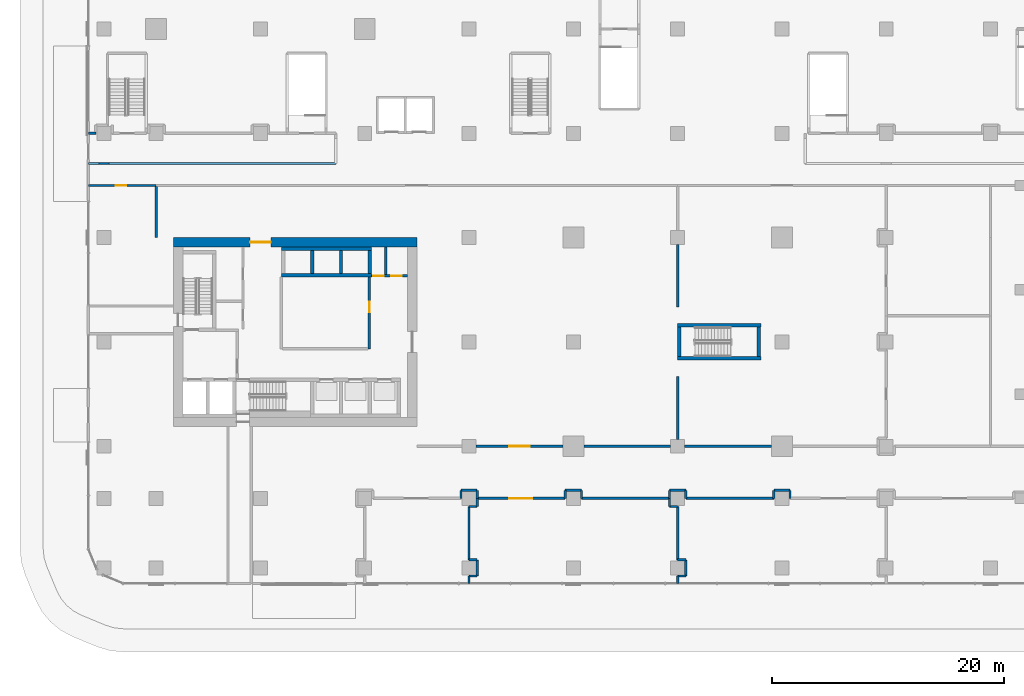
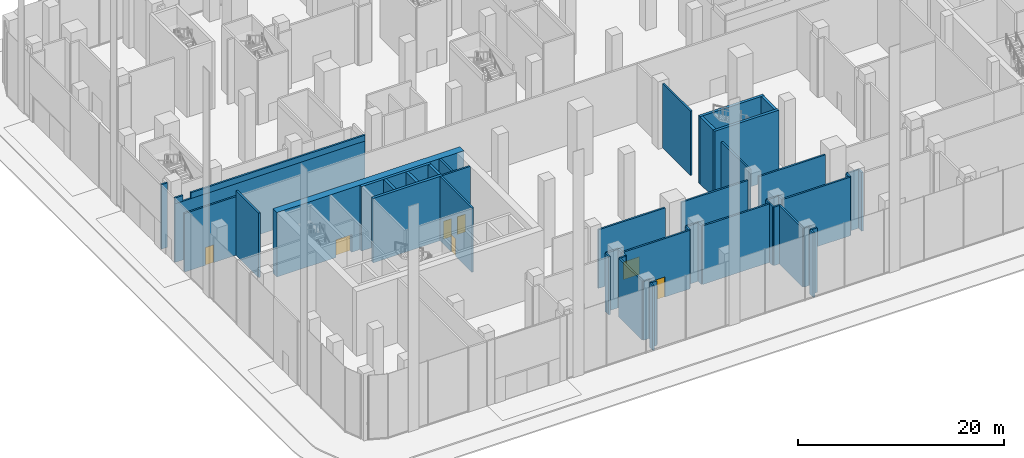
# One storey, part 18 of 42: 53 walls, 7 doors, 7 openings.
"""IFC4 building model written with IfcOpenShell, lengths in metres."""

from ifc_helpers import new_model, si_unit, direction, frame, frame_2d, origin, place, context, subcontext, project, spatial, rectangle, extrude, material, layer, layer_set, type_object, element, fill, save


model = new_model("IFC4")

# Units and contexts
model_context = context("Model", 3, precision=1e-05, world=origin(), true_north=direction((0.0, 1.0)))
body_context = subcontext(model_context, "Body", "Model", "MODEL_VIEW")
ifc_project = project(units=[si_unit("LENGTHUNIT", "METRE"), si_unit("AREAUNIT", "SQUARE_METRE"), si_unit("VOLUMEUNIT", "CUBIC_METRE"), si_unit("PLANEANGLEUNIT", "RADIAN"), si_unit("MASSUNIT", "GRAM", prefix="KILO")], contexts=[model_context])

# Site, building, storey
site_placement = place(None, origin())
site = spatial("IfcSite", under=ifc_project, at=site_placement, CompositionType="ELEMENT")
building_placement = place(site_placement, origin())
building = spatial("IfcBuilding", under=site, at=building_placement, Name="Plateau Cross Towers", CompositionType="ELEMENT")
storey_placement = place(building_placement, origin())
storey = spatial("IfcBuildingStorey", under=building, at=storey_placement, Name="L00", CompositionType="ELEMENT", Elevation=0.0)

# Wall, opening, door
ifc_material_1 = material(Name="Concrete block, plastered both sides", Category="concrete")
ifc_layer_1 = layer(ifc_material_1, 0.199951171875)
ifc_layer_set_1 = layer_set([ifc_layer_1], Name="Concrete block, plastered both sides")
wall_type_1 = type_object("IfcWallType", Name="Core partition 200", PredefinedType="PARTITIONING", material=ifc_layer_set_1)
wall_1_placement = place(storey_placement, frame((18.39990234375, 8.39990234375, 0.0), z_axis=(0.0, 0.0, 1.0), x_axis=(0.0, 1.0, 0.0)))
wall_1 = element("IfcWall", 1, at=wall_1_placement, inside=storey, type_object=wall_type_1, Name="Core partition", PredefinedType="PARTITIONING", context=body_context, shape_type="SweptSolid", body=[
    extrude(rectangle(XDim=6.2001953125, YDim=0.199951171875, at=frame_2d((3.10009765625, 0.0))), origin(), (0.0, 0.0, 1.0), 7.64990234375),
])
opening_1_placement = place(wall_1_placement, frame((3.14990234375, 0.0, 0.0)))
opening_1 = element("IfcOpeningElement", 2, at=opening_1_placement, cuts=wall_1, Name="Opening RD1", PredefinedType="OPENING", context=body_context, shape_type="SweptSolid", body=[
    extrude(rectangle(XDim=0.89990234375, YDim=2.10009765625, at=frame_2d((0.449951171875, 1.050048828125))), frame((0.0, 0.10986328125, 0.0), z_axis=(0.0, -1.0, 0.0), x_axis=(1.0, 0.0, 0.0)), (0.0, 0.0, 1.0), 0.219970703125),
])
ifc_material_2 = material(Name="Timber, fire-resisting leaf", Category="wood")
door_type_1 = type_object("IfcDoorType", Name="Core service door 900", OperationType="NOTDEFINED", PredefinedType="DOOR", material=ifc_material_2)
door_1_placement = place(opening_1_placement, origin())
door_1 = element("IfcDoor", 3, at=door_1_placement, inside=storey, type_object=door_type_1, Name="Core service door RD1", OperationType="SINGLE_SWING_LEFT", OverallHeight=2.10009765625, OverallWidth=0.89990234375, PredefinedType="DOOR", context=body_context, shape_type="SweptSolid", body=[
    extrude(rectangle(XDim=0.89990234375, YDim=2.10009765625, at=frame_2d((0.449951171875, 1.050048828125))), frame((0.0, 0.02490234375, 0.0), z_axis=(0.0, -1.0, 0.0), x_axis=(1.0, 0.0, 0.0)), (0.0, 0.0, 1.0), 0.050048828125),
])
fill(opening_1, door_1)

# Wall, openings, doors
wall_2_placement = place(storey_placement, frame((18.60009765625, 14.699951171875, 0.0), z_axis=(0.0, 0.0, 1.0), x_axis=(1.0, 0.0, 0.0)))
wall_2 = element("IfcWall", 4, at=wall_2_placement, inside=storey, type_object=wall_type_1, Name="Core partition", PredefinedType="PARTITIONING", context=body_context, shape_type="SweptSolid", body=[
    extrude(rectangle(XDim=3.099853515625, YDim=0.199951171875, at=frame_2d((1.5498046875, 0.0))), origin(), (0.0, 0.0, 1.0), 7.64990234375),
])
opening_2_placement = place(wall_2_placement, frame((0.14990234375, 0.0, 0.0)))
opening_2 = element("IfcOpeningElement", 5, at=opening_2_placement, cuts=wall_2, Name="Opening RD2", PredefinedType="OPENING", context=body_context, shape_type="SweptSolid", body=[
    extrude(rectangle(XDim=0.89990234375, YDim=2.10009765625, at=frame_2d((0.449951171875, 1.050048828125))), frame((0.0, 0.10986328125, 0.0), z_axis=(0.0, -1.0, 0.0), x_axis=(1.0, 0.0, 0.0)), (0.0, 0.0, 1.0), 0.219970703125),
])
opening_3_placement = place(wall_2_placement, frame((1.699951171875, 0.0, 0.0)))
opening_3 = element("IfcOpeningElement", 6, at=opening_3_placement, cuts=wall_2, Name="Opening RD2", PredefinedType="OPENING", context=body_context, shape_type="SweptSolid", body=[
    extrude(rectangle(XDim=0.89990234375, YDim=2.10009765625, at=frame_2d((0.449951171875, 1.050048828125))), frame((0.0, 0.10986328125, 0.0), z_axis=(0.0, -1.0, 0.0), x_axis=(1.0, 0.0, 0.0)), (0.0, 0.0, 1.0), 0.219970703125),
])
ifc_material_3 = material(Name="Steel, fire-resisting leaf", Category="steel")
door_type_2 = type_object("IfcDoorType", Name="Core riser door 900", OperationType="NOTDEFINED", PredefinedType="DOOR", material=ifc_material_3)
door_2_placement = place(opening_2_placement, origin())
door_2 = element("IfcDoor", 7, at=door_2_placement, inside=storey, type_object=door_type_2, Name="Core riser door RD2", OperationType="SINGLE_SWING_LEFT", OverallHeight=2.10009765625, OverallWidth=0.89990234375, PredefinedType="DOOR", context=body_context, shape_type="SweptSolid", body=[
    extrude(rectangle(XDim=0.89990234375, YDim=2.10009765625, at=frame_2d((0.449951171875, 1.050048828125))), frame((0.0, 0.02490234375, 0.0), z_axis=(0.0, -1.0, 0.0), x_axis=(1.0, 0.0, 0.0)), (0.0, 0.0, 1.0), 0.050048828125),
])
fill(opening_2, door_2)
door_3_placement = place(opening_3_placement, origin())
door_3 = element("IfcDoor", 8, at=door_3_placement, inside=storey, type_object=door_type_2, Name="Core riser door RD2", OperationType="SINGLE_SWING_LEFT", OverallHeight=2.10009765625, OverallWidth=0.89990234375, PredefinedType="DOOR", context=body_context, shape_type="SweptSolid", body=[
    extrude(rectangle(XDim=0.89990234375, YDim=2.10009765625, at=frame_2d((0.449951171875, 1.050048828125))), frame((0.0, 0.02490234375, 0.0), z_axis=(0.0, -1.0, 0.0), x_axis=(1.0, 0.0, 0.0)), (0.0, 0.0, 1.0), 0.050048828125),
])
fill(opening_3, door_3)

# Walls
wall_3_placement = place(storey_placement, frame((19.800048828125, 14.800048828125, 0.0), z_axis=(0.0, 0.0, 1.0), x_axis=(0.0, 1.0, 0.0)))
element("IfcWall", 9, at=wall_3_placement, inside=storey, type_object=wall_type_1, Name="Core partition", PredefinedType="PARTITIONING", context=body_context, shape_type="SweptSolid", body=[
    extrude(rectangle(XDim=2.39990234375, YDim=0.199951171875, at=frame_2d((1.199951171875, 0.0))), origin(), (0.0, 0.0, 1.0), 7.64990234375),
])
ifc_material_4 = material(Name="Concrete C60/75", Category="concrete")
ifc_layer_2 = layer(ifc_material_4, 0.300048828125)
ifc_layer_set_2 = layer_set([ifc_layer_2], Name="Concrete C60/75")
wall_type_2 = type_object("IfcWallType", Name="Core shaft wall 300", PredefinedType="SHEAR", material=ifc_layer_set_2)
for number, where, z_axis, x_axis, name in (
    (10, (10.800048828125, 17.050048828125, 0.0), (0.0, 0.0, 1.0), (1.0, 0.0, 0.0), "A-nb-back@L00"),
    (11, (10.800048828125, 14.75, 0.0), (0.0, 0.0, 1.0), (1.0, 0.0, 0.0), "A-nb-front@L00"),
):
    element("IfcWall", number, at=place(storey_placement, frame(where, z_axis=z_axis, x_axis=x_axis)), inside=storey, type_object=wall_type_2, Name=name, PredefinedType="SHEAR", context=body_context, shape_type="SweptSolid", body=[
        extrude(rectangle(XDim=7.800048828125, YDim=0.300048828125, at=frame_2d((3.89990234375, 0.0))), origin(), (0.0, 0.0, 1.0), 7.64990234375),
    ])
for number, where, z_axis, x_axis, name in (
    (12, (13.449951171875, 14.89990234375, 0.0), (0.0, 0.0, 1.0), (0.0, 1.0, 0.0), "A-nb-v2@L00"),
    (13, (15.949951171875, 14.89990234375, 0.0), (0.0, 0.0, 1.0), (0.0, 1.0, 0.0), "A-nb-v3@L00"),
    (14, (18.449951171875, 14.89990234375, 0.0), (0.0, 0.0, 1.0), (0.0, 1.0, 0.0), "A-nb-v4@L00"),
):
    element("IfcWall", number, at=place(storey_placement, frame(where, z_axis=z_axis, x_axis=x_axis)), inside=storey, type_object=wall_type_2, Name=name, PredefinedType="SHEAR", context=body_context, shape_type="SweptSolid", body=[
        extrude(rectangle(XDim=2.0, YDim=0.300048828125, at=frame_2d((1.0, 0.0))), origin(), (0.0, 0.0, 1.0), 7.64990234375),
    ])

# Wall, opening, door
ifc_layer_3 = layer(ifc_material_4, 0.800048828125)
ifc_layer_set_3 = layer_set([ifc_layer_3], Name="Concrete C60/75")
wall_type_3 = type_object("IfcWallType", Name="Core shell wall 800", PredefinedType="SHEAR", material=ifc_layer_set_3)
wall_4_placement = place(storey_placement, frame((1.5, 17.60009765625, 0.0), z_axis=(0.0, 0.0, 1.0), x_axis=(1.0, 0.0, 0.0)))
wall_4 = element("IfcWall", 15, at=wall_4_placement, inside=storey, type_object=wall_type_3, Name="A-core-N@L00", PredefinedType="SHEAR", context=body_context, shape_type="SweptSolid", body=[
    extrude(rectangle(XDim=21.0, YDim=0.800048828125, at=frame_2d((10.5, 0.0))), origin(), (0.0, 0.0, 1.0), 7.64990234375),
])
opening_4_placement = place(wall_4_placement, frame((6.60009765625, 0.0, 0.0)))
opening_4 = element("IfcOpeningElement", 16, at=opening_4_placement, cuts=wall_4, Name="Opening CD", PredefinedType="OPENING", context=body_context, shape_type="SweptSolid", body=[
    extrude(rectangle(XDim=1.800048828125, YDim=2.10009765625, at=frame_2d((0.89990234375, 1.050048828125))), frame((0.0, 0.409912109375, 0.0), z_axis=(0.0, -1.0, 0.0), x_axis=(1.0, 0.0, 0.0)), (0.0, 0.0, 1.0), 0.820068359375),
])
ifc_material_5 = material(Name="Steel, fire-resisting leaves", Category="steel")
door_type_3 = type_object("IfcDoorType", Name="Corridor door pair 1800", OperationType="NOTDEFINED", PredefinedType="DOOR", material=ifc_material_5)
door_4_placement = place(opening_4_placement, origin())
door_4 = element("IfcDoor", 17, at=door_4_placement, inside=storey, type_object=door_type_3, Name="Corridor door pair CD", OperationType="DOUBLE_DOOR_SINGLE_SWING", OverallHeight=2.10009765625, OverallWidth=1.800048828125, PredefinedType="DOOR", context=body_context, shape_type="SweptSolid", body=[
    extrude(rectangle(XDim=1.800048828125, YDim=2.10009765625, at=frame_2d((0.89990234375, 1.050048828125))), frame((0.0, 0.02490234375, 0.0), z_axis=(0.0, -1.0, 0.0), x_axis=(1.0, 0.0, 0.0)), (0.0, 0.0, 1.0), 0.050048828125),
])
fill(opening_4, door_4)

ifc_material_6 = material(Name="Gypsum board on steel studs, two layers each side", Category="steel")
ifc_layer_4 = layer(ifc_material_6, 0.199951171875)
ifc_layer_set_4 = layer_set([ifc_layer_4], Name="Gypsum board on steel studs, two layers each side")
wall_type_4 = type_object("IfcWallType", Name="Podium compartment wall 200", PredefinedType="PARTITIONING", material=ifc_layer_set_4)
wall_5_placement = place(storey_placement, frame((-5.85009765625, 22.5, 0.0), z_axis=(0.0, 0.0, 1.0), x_axis=(1.0, 0.0, 0.0)))
wall_5 = element("IfcWall", 18, at=wall_5_placement, inside=storey, type_object=wall_type_4, Name="Partition wall", PredefinedType="PARTITIONING", context=body_context, shape_type="SweptSolid", body=[
    extrude(rectangle(XDim=5.85009765625, YDim=0.199951171875, at=frame_2d((2.925048828125, 0.0))), origin(), (0.0, 0.0, 1.0), 6.949951171875),
])
opening_5_placement = place(wall_5_placement, frame((2.35009765625, 0.0, 0.0)))
opening_5 = element("IfcOpeningElement", 19, at=opening_5_placement, cuts=wall_5, Name="Opening 00-13", PredefinedType="OPENING", context=body_context, shape_type="SweptSolid", body=[
    extrude(rectangle(XDim=0.89990234375, YDim=2.10009765625, at=frame_2d((0.449951171875, 1.050048828125))), frame((0.0, 0.10986328125, 0.0), z_axis=(0.0, -1.0, 0.0), x_axis=(1.0, 0.0, 0.0)), (0.0, 0.0, 1.0), 0.219970703125),
])
door_type_4 = type_object("IfcDoorType", Name="Podium service door 900", OperationType="NOTDEFINED", PredefinedType="DOOR", material=ifc_material_2)
door_5_placement = place(opening_5_placement, origin())
door_5 = element("IfcDoor", 20, at=door_5_placement, inside=storey, type_object=door_type_4, Name="Door 00-13", OperationType="SINGLE_SWING_LEFT", OverallHeight=2.10009765625, OverallWidth=0.89990234375, PredefinedType="DOOR", context=body_context, shape_type="SweptSolid", body=[
    extrude(rectangle(XDim=0.89990234375, YDim=2.10009765625, at=frame_2d((0.449951171875, 1.050048828125))), frame((0.0, 0.02490234375, 0.0), z_axis=(0.0, -1.0, 0.0), x_axis=(1.0, 0.0, 0.0)), (0.0, 0.0, 1.0), 0.050048828125),
])
fill(opening_5, door_5)

ifc_material_7 = material(Name="Gypsum board on steel studs", Category="steel")
ifc_layer_5 = layer(ifc_material_7, 0.199951171875)
ifc_layer_set_5 = layer_set([ifc_layer_5], Name="Gypsum board on steel studs")
wall_type_5 = type_object("IfcWallType", Name="Podium partition 200", PredefinedType="PARTITIONING", material=ifc_layer_set_5)
wall_6_placement = place(storey_placement, frame((27.60009765625, 0.0, 0.0), z_axis=(0.0, 0.0, 1.0), x_axis=(1.0, 0.0, 0.0)))
wall_6 = element("IfcWall", 21, at=wall_6_placement, inside=storey, type_object=wall_type_5, Name="Partition wall", PredefinedType="PARTITIONING", context=body_context, shape_type="SweptSolid", body=[
    extrude(rectangle(XDim=7.5, YDim=0.199951171875, at=frame_2d((3.75, 0.0))), origin(), (0.0, 0.0, 1.0), 6.949951171875),
])
opening_6_placement = place(wall_6_placement, frame((2.85009765625, 0.0, 0.0)))
opening_6 = element("IfcOpeningElement", 22, at=opening_6_placement, cuts=wall_6, Name="Opening 00-35", PredefinedType="OPENING", context=body_context, shape_type="SweptSolid", body=[
    extrude(rectangle(XDim=1.800048828125, YDim=2.10009765625, at=frame_2d((0.89990234375, 1.050048828125))), frame((0.0, 0.10986328125, 0.0), z_axis=(0.0, -1.0, 0.0), x_axis=(1.0, 0.0, 0.0)), (0.0, 0.0, 1.0), 0.219970703125),
])
ifc_material_8 = material(Name="Aluminium frame, toughened glass", Category="aluminium")
door_type_5 = type_object("IfcDoorType", Name="Podium door pair 1800", OperationType="NOTDEFINED", PredefinedType="DOOR", material=ifc_material_8)
door_6_placement = place(opening_6_placement, origin())
door_6 = element("IfcDoor", 23, at=door_6_placement, inside=storey, type_object=door_type_5, Name="Door 00-35", OperationType="DOUBLE_DOOR_SINGLE_SWING", OverallHeight=2.10009765625, OverallWidth=1.800048828125, PredefinedType="DOOR", context=body_context, shape_type="SweptSolid", body=[
    extrude(rectangle(XDim=1.800048828125, YDim=2.10009765625, at=frame_2d((0.89990234375, 1.050048828125))), frame((0.0, 0.02490234375, 0.0), z_axis=(0.0, -1.0, 0.0), x_axis=(1.0, 0.0, 0.0)), (0.0, 0.0, 1.0), 0.050048828125),
])
fill(opening_6, door_6)

# Walls
wall_7_placement = place(storey_placement, frame((36.89990234375, 0.0, 0.0), z_axis=(0.0, 0.0, 1.0), x_axis=(1.0, 0.0, 0.0)))
element("IfcWall", 24, at=wall_7_placement, inside=storey, type_object=wall_type_5, Name="Partition wall", PredefinedType="PARTITIONING", context=body_context, shape_type="SweptSolid", body=[
    extrude(rectangle(XDim=7.5, YDim=0.199951171875, at=frame_2d((3.75, 0.0))), origin(), (0.0, 0.0, 1.0), 6.949951171875),
])
wall_8_placement = place(storey_placement, frame((27.699951171875, -3.800048828125, 0.0), z_axis=(0.0, 0.0, 1.0), x_axis=(-1.0, 0.0, 0.0)))
element("IfcWall", 25, at=wall_8_placement, inside=storey, type_object=wall_type_5, Name="Partition wall", PredefinedType="PARTITIONING", context=body_context, shape_type="SweptSolid", body=[
    extrude(rectangle(XDim=1.39990234375, YDim=0.199951171875, at=frame_2d((0.699951171875, 0.0))), origin(), (0.0, 0.0, 1.0), 6.949951171875),
])
for number, where, z_axis, x_axis, name in (
    (26, (26.300048828125, -3.800048828125, 0.0), (0.0, 0.0, 1.0), (0.0, -1.0, 0.0), "Partition wall"),
    (27, (54.699951171875, -4.5, 0.0), (0.0, 0.0, 1.0), (0.0, 1.0, 0.0), "Partition wall"),
):
    element("IfcWall", number, at=place(storey_placement, frame(where, z_axis=z_axis, x_axis=x_axis)), inside=storey, type_object=wall_type_5, Name=name, PredefinedType="PARTITIONING", context=body_context, shape_type="SweptSolid", body=[
        extrude(rectangle(XDim=0.699951171875, YDim=0.199951171875, at=frame_2d((0.35009765625, 0.0))), origin(), (0.0, 0.0, 1.0), 6.949951171875),
    ])
wall_9_placement = place(storey_placement, frame((54.699951171875, -3.800048828125, 0.0), z_axis=(0.0, 0.0, 1.0), x_axis=(-1.0, 0.0, 0.0)))
element("IfcWall", 28, at=wall_9_placement, inside=storey, type_object=wall_type_5, Name="Partition wall", PredefinedType="PARTITIONING", context=body_context, shape_type="SweptSolid", body=[
    extrude(rectangle(XDim=1.39990234375, YDim=0.199951171875, at=frame_2d((0.699951171875, 0.0))), origin(), (0.0, 0.0, 1.0), 6.949951171875),
])
wall_10_placement = place(storey_placement, frame((53.300048828125, -3.800048828125, 0.0), z_axis=(0.0, 0.0, 1.0), x_axis=(0.0, -1.0, 0.0)))
element("IfcWall", 29, at=wall_10_placement, inside=storey, type_object=wall_type_5, Name="Partition wall", PredefinedType="PARTITIONING", context=body_context, shape_type="SweptSolid", body=[
    extrude(rectangle(XDim=0.699951171875, YDim=0.199951171875, at=frame_2d((0.35009765625, 0.0))), origin(), (0.0, 0.0, 1.0), 6.949951171875),
])
wall_11_placement = place(storey_placement, frame((53.300048828125, -4.5, 0.0), z_axis=(0.0, 0.0, 1.0), x_axis=(-1.0, 0.0, 0.0)))
element("IfcWall", 30, at=wall_11_placement, inside=storey, type_object=wall_type_5, Name="Partition wall", PredefinedType="PARTITIONING", context=body_context, shape_type="SweptSolid", body=[
    extrude(rectangle(XDim=7.60009765625, YDim=0.199951171875, at=frame_2d((3.800048828125, 0.0))), origin(), (0.0, 0.0, 1.0), 6.949951171875),
])
wall_12_placement = place(storey_placement, frame((45.699951171875, -4.5, 0.0), z_axis=(0.0, 0.0, 1.0), x_axis=(0.0, 1.0, 0.0)))
element("IfcWall", 31, at=wall_12_placement, inside=storey, type_object=wall_type_5, Name="Partition wall", PredefinedType="PARTITIONING", context=body_context, shape_type="SweptSolid", body=[
    extrude(rectangle(XDim=0.699951171875, YDim=0.199951171875, at=frame_2d((0.35009765625, 0.0))), origin(), (0.0, 0.0, 1.0), 6.949951171875),
])
wall_13_placement = place(storey_placement, frame((45.699951171875, -3.800048828125, 0.0), z_axis=(0.0, 0.0, 1.0), x_axis=(-1.0, 0.0, 0.0)))
element("IfcWall", 32, at=wall_13_placement, inside=storey, type_object=wall_type_5, Name="Partition wall", PredefinedType="PARTITIONING", context=body_context, shape_type="SweptSolid", body=[
    extrude(rectangle(XDim=1.39990234375, YDim=0.199951171875, at=frame_2d((0.699951171875, 0.0))), origin(), (0.0, 0.0, 1.0), 6.949951171875),
])
wall_14_placement = place(storey_placement, frame((44.300048828125, -3.800048828125, 0.0), z_axis=(0.0, 0.0, 1.0), x_axis=(0.0, -1.0, 0.0)))
element("IfcWall", 33, at=wall_14_placement, inside=storey, type_object=wall_type_5, Name="Partition wall", PredefinedType="PARTITIONING", context=body_context, shape_type="SweptSolid", body=[
    extrude(rectangle(XDim=0.699951171875, YDim=0.199951171875, at=frame_2d((0.35009765625, 0.0))), origin(), (0.0, 0.0, 1.0), 6.949951171875),
])
wall_15_placement = place(storey_placement, frame((44.300048828125, -4.5, 0.0), z_axis=(0.0, 0.0, 1.0), x_axis=(-1.0, 0.0, 0.0)))
element("IfcWall", 34, at=wall_15_placement, inside=storey, type_object=wall_type_5, Name="Partition wall", PredefinedType="PARTITIONING", context=body_context, shape_type="SweptSolid", body=[
    extrude(rectangle(XDim=7.60009765625, YDim=0.199951171875, at=frame_2d((3.800048828125, 0.0))), origin(), (0.0, 0.0, 1.0), 6.949951171875),
])
wall_16_placement = place(storey_placement, frame((36.699951171875, -4.5, 0.0), z_axis=(0.0, 0.0, 1.0), x_axis=(0.0, 1.0, 0.0)))
element("IfcWall", 35, at=wall_16_placement, inside=storey, type_object=wall_type_5, Name="Partition wall", PredefinedType="PARTITIONING", context=body_context, shape_type="SweptSolid", body=[
    extrude(rectangle(XDim=0.699951171875, YDim=0.199951171875, at=frame_2d((0.35009765625, 0.0))), origin(), (0.0, 0.0, 1.0), 6.949951171875),
])
wall_17_placement = place(storey_placement, frame((36.699951171875, -3.800048828125, 0.0), z_axis=(0.0, 0.0, 1.0), x_axis=(-1.0, 0.0, 0.0)))
element("IfcWall", 36, at=wall_17_placement, inside=storey, type_object=wall_type_5, Name="Partition wall", PredefinedType="PARTITIONING", context=body_context, shape_type="SweptSolid", body=[
    extrude(rectangle(XDim=1.39990234375, YDim=0.199951171875, at=frame_2d((0.699951171875, 0.0))), origin(), (0.0, 0.0, 1.0), 6.949951171875),
])
wall_18_placement = place(storey_placement, frame((35.300048828125, -3.800048828125, 0.0), z_axis=(0.0, 0.0, 1.0), x_axis=(0.0, -1.0, 0.0)))
element("IfcWall", 37, at=wall_18_placement, inside=storey, type_object=wall_type_5, Name="Partition wall", PredefinedType="PARTITIONING", context=body_context, shape_type="SweptSolid", body=[
    extrude(rectangle(XDim=0.699951171875, YDim=0.199951171875, at=frame_2d((0.35009765625, 0.0))), origin(), (0.0, 0.0, 1.0), 6.949951171875),
])

# Wall, opening, door
wall_19_placement = place(storey_placement, frame((35.300048828125, -4.5, 0.0), z_axis=(0.0, 0.0, 1.0), x_axis=(-1.0, 0.0, 0.0)))
wall_19 = element("IfcWall", 38, at=wall_19_placement, inside=storey, type_object=wall_type_5, Name="Partition wall", PredefinedType="PARTITIONING", context=body_context, shape_type="SweptSolid", body=[
    extrude(rectangle(XDim=7.60009765625, YDim=0.199951171875, at=frame_2d((3.800048828125, 0.0))), origin(), (0.0, 0.0, 1.0), 6.949951171875),
])
opening_7_placement = place(wall_19_placement, frame((2.85009765625, 0.0, 0.0)))
opening_7 = element("IfcOpeningElement", 39, at=opening_7_placement, cuts=wall_19, Name="Opening 00-15", PredefinedType="OPENING", context=body_context, shape_type="SweptSolid", body=[
    extrude(rectangle(XDim=2.0, YDim=2.39990234375, at=frame_2d((1.0, 1.199951171875))), frame((0.0, 0.10986328125, 0.0), z_axis=(0.0, -1.0, 0.0), x_axis=(1.0, 0.0, 0.0)), (0.0, 0.0, 1.0), 0.219970703125),
])
door_type_6 = type_object("IfcDoorType", Name="Shop entrance double door 2000x2400", OperationType="NOTDEFINED", PredefinedType="DOOR", material=ifc_material_8)
door_7_placement = place(opening_7_placement, origin())
door_7 = element("IfcDoor", 40, at=door_7_placement, inside=storey, type_object=door_type_6, Name="Door 00-15", OperationType="SINGLE_SWING_LEFT", OverallHeight=2.39990234375, OverallWidth=2.0, PredefinedType="DOOR", context=body_context, shape_type="SweptSolid", body=[
    extrude(rectangle(XDim=2.0, YDim=2.39990234375, at=frame_2d((1.0, 1.199951171875))), frame((0.0, 0.02490234375, 0.0), z_axis=(0.0, -1.0, 0.0), x_axis=(1.0, 0.0, 0.0)), (0.0, 0.0, 1.0), 0.050048828125),
])
fill(opening_7, door_7)

# Walls
wall_20_placement = place(storey_placement, frame((45.60009765625, 0.0, 0.0), z_axis=(0.0, 0.0, 1.0), x_axis=(1.0, 0.0, 0.0)))
element("IfcWall", 41, at=wall_20_placement, inside=storey, type_object=wall_type_5, Name="Partition wall", PredefinedType="PARTITIONING", context=body_context, shape_type="SweptSolid", body=[
    extrude(rectangle(XDim=7.5, YDim=0.199951171875, at=frame_2d((3.75, 0.0))), origin(), (0.0, 0.0, 1.0), 6.949951171875),
])
wall_21_placement = place(storey_placement, frame((45.0, 17.39990234375, 0.0), z_axis=(0.0, 0.0, 1.0), x_axis=(0.0, -1.0, 0.0)))
element("IfcWall", 42, at=wall_21_placement, inside=storey, type_object=wall_type_5, Name="Partition wall", PredefinedType="PARTITIONING", context=body_context, shape_type="SweptSolid", body=[
    extrude(rectangle(XDim=5.39990234375, YDim=0.199951171875, at=frame_2d((2.699951171875, 0.0))), origin(), (0.0, 0.0, 1.0), 7.64990234375),
])
for number, where, z_axis, x_axis, name in (
    (43, (44.300048828125, -4.5, 0.0), (0.0, 0.0, 1.0), (0.0, -1.0, 0.0), "Partition wall"),
    (44, (44.300048828125, -5.199951171875, 0.0), (0.0, 0.0, 1.0), (1.0, 0.0, 0.0), "Partition wall"),
):
    element("IfcWall", number, at=place(storey_placement, frame(where, z_axis=z_axis, x_axis=x_axis)), inside=storey, type_object=wall_type_5, Name=name, PredefinedType="PARTITIONING", context=body_context, shape_type="SweptSolid", body=[
        extrude(rectangle(XDim=0.699951171875, YDim=0.199951171875, at=frame_2d((0.35009765625, 0.0))), origin(), (0.0, 0.0, 1.0), 6.949951171875),
    ])
wall_22_placement = place(storey_placement, frame((45.0, -5.199951171875, 0.0), z_axis=(0.0, 0.0, 1.0), x_axis=(0.0, -1.0, 0.0)))
element("IfcWall", 45, at=wall_22_placement, inside=storey, type_object=wall_type_5, Name="Partition wall", PredefinedType="PARTITIONING", context=body_context, shape_type="SweptSolid", body=[
    extrude(rectangle(XDim=4.60009765625, YDim=0.199951171875, at=frame_2d((2.300048828125, 0.0))), origin(), (0.0, 0.0, 1.0), 6.949951171875),
])
wall_23_placement = place(storey_placement, frame((45.0, -9.800048828125, 0.0), z_axis=(0.0, 0.0, 1.0), x_axis=(1.0, 0.0, 0.0)))
element("IfcWall", 46, at=wall_23_placement, inside=storey, type_object=wall_type_5, Name="Partition wall", PredefinedType="PARTITIONING", context=body_context, shape_type="SweptSolid", body=[
    extrude(rectangle(XDim=0.699951171875, YDim=0.199951171875, at=frame_2d((0.35009765625, 0.0))), origin(), (0.0, 0.0, 1.0), 6.949951171875),
])
wall_24_placement = place(storey_placement, frame((45.699951171875, -9.800048828125, 0.0), z_axis=(0.0, 0.0, 1.0), x_axis=(0.0, -1.0, 0.0)))
element("IfcWall", 47, at=wall_24_placement, inside=storey, type_object=wall_type_5, Name="Partition wall", PredefinedType="PARTITIONING", context=body_context, shape_type="SweptSolid", body=[
    extrude(rectangle(XDim=1.39990234375, YDim=0.199951171875, at=frame_2d((0.699951171875, 0.0))), origin(), (0.0, 0.0, 1.0), 6.949951171875),
])
wall_25_placement = place(storey_placement, frame((45.699951171875, -11.199951171875, 0.0), z_axis=(0.0, 0.0, 1.0), x_axis=(-1.0, 0.0, 0.0)))
element("IfcWall", 48, at=wall_25_placement, inside=storey, type_object=wall_type_5, Name="Partition wall", PredefinedType="PARTITIONING", context=body_context, shape_type="SweptSolid", body=[
    extrude(rectangle(XDim=0.699951171875, YDim=0.199951171875, at=frame_2d((0.35009765625, 0.0))), origin(), (0.0, 0.0, 1.0), 7.64990234375),
])
wall_26_placement = place(storey_placement, frame((45.0, -11.199951171875, 0.0), z_axis=(0.0, 0.0, 1.0), x_axis=(0.0, -1.0, 0.0)))
element("IfcWall", 49, at=wall_26_placement, inside=storey, type_object=wall_type_5, Name="Partition wall", PredefinedType="PARTITIONING", context=body_context, shape_type="SweptSolid", body=[
    extrude(rectangle(XDim=0.650146484375, YDim=0.199951171875, at=frame_2d((0.3251953125, 0.0))), origin(), (0.0, 0.0, 1.0), 7.64990234375),
])
for number, where, z_axis, x_axis, name in (
    (50, (27.699951171875, -4.5, 0.0), (0.0, 0.0, 1.0), (0.0, -1.0, 0.0), "Partition wall"),
    (51, (27.699951171875, -5.199951171875, 0.0), (0.0, 0.0, 1.0), (-1.0, 0.0, 0.0), "Partition wall"),
):
    element("IfcWall", number, at=place(storey_placement, frame(where, z_axis=z_axis, x_axis=x_axis)), inside=storey, type_object=wall_type_5, Name=name, PredefinedType="PARTITIONING", context=body_context, shape_type="SweptSolid", body=[
        extrude(rectangle(XDim=0.699951171875, YDim=0.199951171875, at=frame_2d((0.35009765625, 0.0))), origin(), (0.0, 0.0, 1.0), 6.949951171875),
    ])
wall_27_placement = place(storey_placement, frame((27.0, -5.199951171875, 0.0), z_axis=(0.0, 0.0, 1.0), x_axis=(0.0, -1.0, 0.0)))
element("IfcWall", 52, at=wall_27_placement, inside=storey, type_object=wall_type_5, Name="Partition wall", PredefinedType="PARTITIONING", context=body_context, shape_type="SweptSolid", body=[
    extrude(rectangle(XDim=4.60009765625, YDim=0.199951171875, at=frame_2d((2.300048828125, 0.0))), origin(), (0.0, 0.0, 1.0), 6.949951171875),
])
wall_28_placement = place(storey_placement, frame((27.0, -9.800048828125, 0.0), z_axis=(0.0, 0.0, 1.0), x_axis=(1.0, 0.0, 0.0)))
element("IfcWall", 53, at=wall_28_placement, inside=storey, type_object=wall_type_5, Name="Partition wall", PredefinedType="PARTITIONING", context=body_context, shape_type="SweptSolid", body=[
    extrude(rectangle(XDim=0.699951171875, YDim=0.199951171875, at=frame_2d((0.35009765625, 0.0))), origin(), (0.0, 0.0, 1.0), 6.949951171875),
])
wall_29_placement = place(storey_placement, frame((27.699951171875, -9.800048828125, 0.0), z_axis=(0.0, 0.0, 1.0), x_axis=(0.0, -1.0, 0.0)))
element("IfcWall", 54, at=wall_29_placement, inside=storey, type_object=wall_type_5, Name="Partition wall", PredefinedType="PARTITIONING", context=body_context, shape_type="SweptSolid", body=[
    extrude(rectangle(XDim=1.39990234375, YDim=0.199951171875, at=frame_2d((0.699951171875, 0.0))), origin(), (0.0, 0.0, 1.0), 6.949951171875),
])
wall_30_placement = place(storey_placement, frame((27.699951171875, -11.199951171875, 0.0), z_axis=(0.0, 0.0, 1.0), x_axis=(-1.0, 0.0, 0.0)))
element("IfcWall", 55, at=wall_30_placement, inside=storey, type_object=wall_type_5, Name="Partition wall", PredefinedType="PARTITIONING", context=body_context, shape_type="SweptSolid", body=[
    extrude(rectangle(XDim=0.699951171875, YDim=0.199951171875, at=frame_2d((0.35009765625, 0.0))), origin(), (0.0, 0.0, 1.0), 7.64990234375),
])
wall_31_placement = place(storey_placement, frame((27.0, -11.199951171875, 0.0), z_axis=(0.0, 0.0, 1.0), x_axis=(0.0, -1.0, 0.0)))
element("IfcWall", 56, at=wall_31_placement, inside=storey, type_object=wall_type_5, Name="Partition wall", PredefinedType="PARTITIONING", context=body_context, shape_type="SweptSolid", body=[
    extrude(rectangle(XDim=0.650146484375, YDim=0.199951171875, at=frame_2d((0.3251953125, 0.0))), origin(), (0.0, 0.0, 1.0), 7.64990234375),
])
wall_32_placement = place(storey_placement, frame((45.0, 6.0, 0.0), z_axis=(0.0, 0.0, 1.0), x_axis=(0.0, -1.0, 0.0)))
element("IfcWall", 57, at=wall_32_placement, inside=storey, type_object=wall_type_5, Name="Partition wall", PredefinedType="PARTITIONING", context=body_context, shape_type="SweptSolid", body=[
    extrude(rectangle(XDim=5.39990234375, YDim=0.199951171875, at=frame_2d((2.699951171875, 0.0))), origin(), (0.0, 0.0, 1.0), 7.64990234375),
])
wall_33_placement = place(storey_placement, frame((0.0, 22.39990234375, 0.0), z_axis=(0.0, 0.0, 1.0), x_axis=(0.0, -1.0, 0.0)))
element("IfcWall", 58, at=wall_33_placement, inside=storey, type_object=wall_type_5, Name="Partition wall", PredefinedType="PARTITIONING", context=body_context, shape_type="SweptSolid", body=[
    extrude(rectangle(XDim=4.39990234375, YDim=0.199951171875, at=frame_2d((2.199951171875, 0.0))), origin(), (0.0, 0.0, 1.0), 7.64990234375),
])
wall_34_placement = place(storey_placement, frame((27.699951171875, -4.5, 0.0), z_axis=(0.0, 0.0, 1.0), x_axis=(0.0, 1.0, 0.0)))
element("IfcWall", 59, at=wall_34_placement, inside=storey, type_object=wall_type_5, Name="Partition wall", PredefinedType="PARTITIONING", context=body_context, shape_type="SweptSolid", body=[
    extrude(rectangle(XDim=0.699951171875, YDim=0.199951171875, at=frame_2d((0.35009765625, 0.0))), origin(), (0.0, 0.0, 1.0), 6.949951171875),
])
ifc_material_9 = material(Name="Fire-rated plasterboard shaft wall system")
ifc_layer_6 = layer(ifc_material_9, 0.199951171875)
ifc_layer_set_6 = layer_set([ifc_layer_6], Name="Fire-rated plasterboard shaft wall system")
wall_type_6 = type_object("IfcWallType", Name="Podium stair shaft wall 200", PredefinedType="PARTITIONING", material=ifc_layer_set_6)
wall_35_placement = place(storey_placement, frame((15.5, 24.39990234375, 0.0), z_axis=(0.0, 0.0, 1.0), x_axis=(-1.0, 0.0, 0.0)))
element("IfcWall", 60, at=wall_35_placement, inside=storey, type_object=wall_type_6, Name="Partition wall", PredefinedType="PARTITIONING", context=body_context, shape_type="SweptSolid", body=[
    extrude(rectangle(XDim=21.35009765625, YDim=0.199951171875, at=frame_2d((10.675048828125, 0.0))), origin(), (0.0, 0.0, 1.0), 6.949951171875),
])
wall_36_placement = place(storey_placement, frame((-5.85009765625, 27.0, 0.0), z_axis=(0.0, 0.0, 1.0), x_axis=(1.0, 0.0, 0.0)))
element("IfcWall", 61, at=wall_36_placement, inside=storey, type_object=wall_type_6, Name="Partition wall", PredefinedType="PARTITIONING", context=body_context, shape_type="SweptSolid", body=[
    extrude(rectangle(XDim=0.650146484375, YDim=0.199951171875, at=frame_2d((0.3251953125, 0.0))), origin(), (0.0, 0.0, 1.0), 7.64990234375),
])
wall_37_placement = place(storey_placement, frame((15.5, 24.39990234375, 6.949951171875), z_axis=(0.0, 0.0, 1.0), x_axis=(-1.0, 0.0, 0.0)))
element("IfcWall", 62, at=wall_37_placement, inside=storey, type_object=wall_type_6, Name="Partition wall head", PredefinedType="PARTITIONING", context=body_context, shape_type="SweptSolid", body=[
    extrude(rectangle(XDim=19.550048828125, YDim=0.199951171875, at=frame_2d((9.77490234375, 0.0))), origin(), (0.0, 0.0, 1.0), 0.699951171875),
])
wall_38_placement = place(storey_placement, frame((-4.949951171875, 24.39990234375, 6.949951171875), z_axis=(0.0, 0.0, 1.0), x_axis=(-1.0, 0.0, 0.0)))
element("IfcWall", 63, at=wall_38_placement, inside=storey, type_object=wall_type_6, Name="Partition wall head", PredefinedType="PARTITIONING", context=body_context, shape_type="SweptSolid", body=[
    extrude(rectangle(XDim=0.900146484375, YDim=0.199951171875, at=frame_2d((0.4501953125, 0.0))), origin(), (0.0, 0.0, 1.0), 0.699951171875),
])
ifc_layer_7 = layer(ifc_material_4, 0.300048828125)
ifc_layer_set_7 = layer_set([ifc_layer_7], Name="Concrete C60/75")
wall_type_7 = type_object("IfcWallType", Name="Stair tower wall 300", PredefinedType="SHEAR", material=ifc_layer_set_7)
for number, where, z_axis, x_axis, name in (
    (64, (45.14990234375, 7.72509765625, 0.0), (0.0, 0.0, 1.0), (0.0, 1.0, 0.0), "A-end-E-W@L00"),
    (65, (52.0, 7.72509765625, 0.0), (0.0, 0.0, 1.0), (0.0, 1.0, 0.0), "A-end-E-E@L00"),
):
    element("IfcWall", number, at=place(storey_placement, frame(where, z_axis=z_axis, x_axis=x_axis)), inside=storey, type_object=wall_type_7, Name=name, PredefinedType="SHEAR", context=body_context, shape_type="SweptSolid", body=[
        extrude(rectangle(XDim=2.5498046875, YDim=0.300048828125, at=frame_2d((1.27490234375, 0.0))), origin(), (0.0, 0.0, 1.0), 8.0),
    ])
for number, where, z_axis, x_axis, name in (
    (66, (45.0, 7.574951171875, 0.0), (0.0, 0.0, 1.0), (1.0, 0.0, 0.0), "A-end-E-S@L00"),
    (67, (45.0, 10.425048828125, 0.0), (0.0, 0.0, 1.0), (1.0, 0.0, 0.0), "A-end-E-N@L00"),
):
    element("IfcWall", number, at=place(storey_placement, frame(where, z_axis=z_axis, x_axis=x_axis)), inside=storey, type_object=wall_type_7, Name=name, PredefinedType="SHEAR", context=body_context, shape_type="SweptSolid", body=[
        extrude(rectangle(XDim=7.199951171875, YDim=0.300048828125, at=frame_2d((3.60009765625, 0.0))), origin(), (0.0, 0.0, 1.0), 8.0),
    ])

save(model, "model.ifc")
